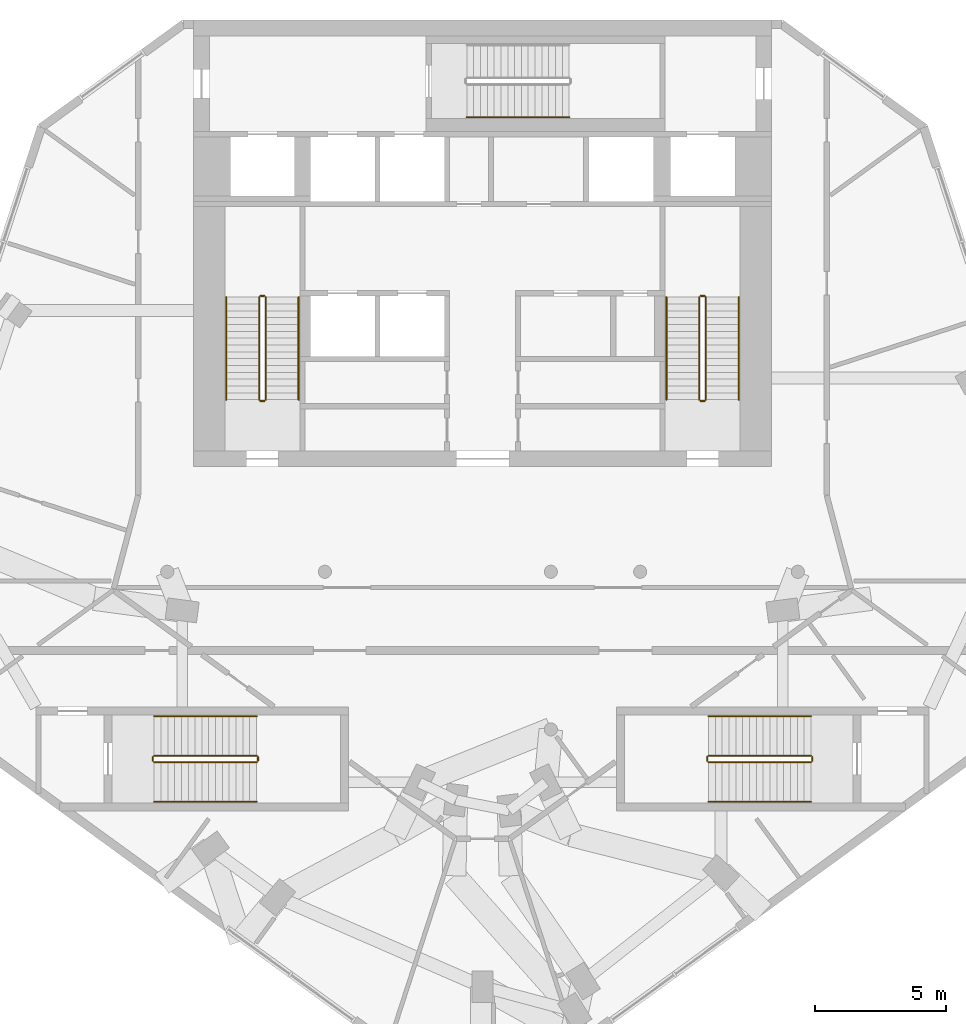
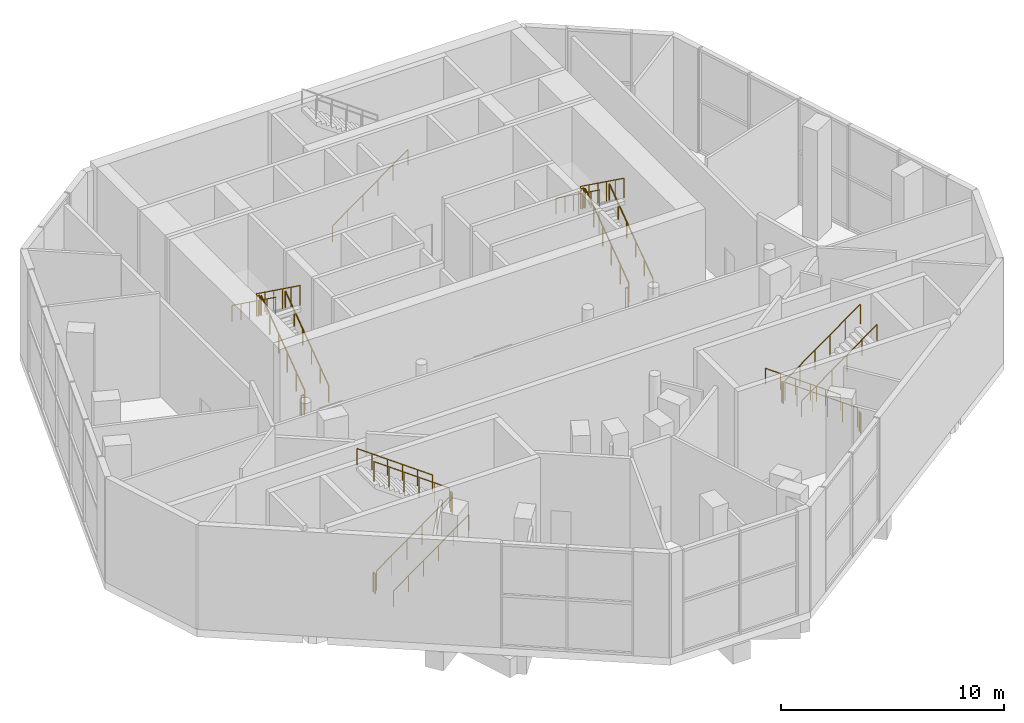
# One storey, part 10 of 11: 25 railings.
"""IFC4 building model written with IfcOpenShell, lengths in metres."""

from ifc_helpers import new_model, si_unit, direction, frame, origin, origin_2d, place, context, subcontext, project, spatial, circle, extrude, material, type_object, element, save


model = new_model("IFC4")

# Units and contexts
model_context = context("Model", 3, precision=1e-05, world=origin(), true_north=direction((0.0, 1.0)))
body_context = subcontext(model_context, "Body", "Model", "MODEL_VIEW")
ifc_project = project(units=[si_unit("LENGTHUNIT", "METRE"), si_unit("AREAUNIT", "SQUARE_METRE"), si_unit("VOLUMEUNIT", "CUBIC_METRE"), si_unit("PLANEANGLEUNIT", "RADIAN"), si_unit("MASSUNIT", "GRAM", prefix="KILO")], contexts=[model_context])

# Site, building, storey
site_placement = place(None, origin())
site = spatial("IfcSite", under=ifc_project, at=site_placement, CompositionType="ELEMENT")
building_placement = place(site_placement, origin())
building = spatial("IfcBuilding", under=site, at=building_placement, Name="White Candle Pilgrim Tower", CompositionType="ELEMENT")
storey_placement = place(building_placement, frame((0.0, 0.0, 300.10009765625)))
storey = spatial("IfcBuildingStorey", under=building, at=storey_placement, Name="L71", CompositionType="ELEMENT", Elevation=300.10009765625)

# Railings
ifc_material = material(Name="Stainless steel", Category="steel")
railing_type_1 = type_object("IfcRailingType", Name="Stair guard stainless steel 1100 mm", PredefinedType="GUARDRAIL", material=ifc_material)
railing_1_placement = place(storey_placement, frame((61.75, 73.550048828125, 0.1875)))
element("IfcRailing", 1, at=railing_1_placement, inside=storey, type_object=railing_type_1, Name="L71 ST1 stair guard 1", PredefinedType="GUARDRAIL", context=body_context, shape_type="SweptSolid", body=[
    extrude(circle(Radius=0.02392578125, at=origin_2d()), frame((0.0, 0.0, 1.076171875), z_axis=(0.0, 0.811083382981, 0.584930547887), x_axis=(-1.0, 0.0, 0.0)), (0.0, 0.0, 1.0), 4.808349609375),
    extrude(circle(Radius=0.02099609375, at=origin_2d()), origin(), (0.0, 0.0, 1.0), 1.052001953125),
    extrude(circle(Radius=0.02099609375, at=origin_2d()), frame((0.0, 0.780029296875, 0.5625)), (0.0, 0.0, 1.0), 1.052001953125),
    extrude(circle(Radius=0.02099609375, at=origin_2d()), frame((0.0, 1.56005859375, 1.125)), (0.0, 0.0, 1.0), 1.052001953125),
    extrude(circle(Radius=0.02099609375, at=origin_2d()), frame((0.0, 2.33984375, 1.6875)), (0.0, 0.0, 1.0), 1.052001953125),
    extrude(circle(Radius=0.02099609375, at=origin_2d()), frame((0.0, 3.119873046875, 2.25)), (0.0, 0.0, 1.0), 1.052001953125),
    extrude(circle(Radius=0.02099609375, at=origin_2d()), frame((0.0, 3.89990234375, 2.8125)), (0.0, 0.0, 1.0), 1.052001953125),
])
railing_2_placement = place(storey_placement, frame((61.699951171875, 77.5, 3.0)))
element("IfcRailing", 2, at=railing_2_placement, inside=storey, type_object=railing_type_1, Name="L71 ST1 stair guard 2", PredefinedType="GUARDRAIL", context=body_context, shape_type="SweptSolid", body=[
    extrude(circle(Radius=0.02392578125, at=origin_2d()), frame((0.0, 0.0, 1.076171875), z_axis=(-1.0, 0.0, 0.0), x_axis=(0.0, -1.0, 0.0)), (0.0, 0.0, 1.0), 0.14990234375),
    extrude(circle(Radius=0.02099609375, at=origin_2d()), origin(), (0.0, 0.0, 1.0), 1.052001953125),
    extrude(circle(Radius=0.02099609375, at=origin_2d()), frame((-0.14990234375, 0.0, 0.0)), (0.0, 0.0, 1.0), 1.052001953125),
])
railing_3_placement = place(storey_placement, frame((61.5, 77.449951171875, 3.1875)))
element("IfcRailing", 3, at=railing_3_placement, inside=storey, type_object=railing_type_1, Name="L71 ST1 stair guard 3", PredefinedType="GUARDRAIL", context=body_context, shape_type="SweptSolid", body=[
    extrude(circle(Radius=0.02392578125, at=origin_2d()), frame((0.0, 0.0, 1.076171875), z_axis=(0.0, -0.811083382981, 0.584930547887), x_axis=(1.0, 0.0, 0.0)), (0.0, 0.0, 1.0), 4.808349609375),
    extrude(circle(Radius=0.02099609375, at=origin_2d()), origin(), (0.0, 0.0, 1.0), 1.052001953125),
    extrude(circle(Radius=0.02099609375, at=origin_2d()), frame((0.0, -0.780029296875, 0.5625)), (0.0, 0.0, 1.0), 1.052001953125),
    extrude(circle(Radius=0.02099609375, at=origin_2d()), frame((0.0, -1.56005859375, 1.125)), (0.0, 0.0, 1.0), 1.052001953125),
    extrude(circle(Radius=0.02099609375, at=origin_2d()), frame((0.0, -2.33984375, 1.6875)), (0.0, 0.0, 1.0), 1.052001953125),
    extrude(circle(Radius=0.02099609375, at=origin_2d()), frame((0.0, -3.119873046875, 2.25)), (0.0, 0.0, 1.0), 1.052001953125),
    extrude(circle(Radius=0.02099609375, at=origin_2d()), frame((0.0, -3.89990234375, 2.8125)), (0.0, 0.0, 1.0), 1.052001953125),
])
railing_4_placement = place(storey_placement, frame((61.699951171875, 73.5, 0.0)))
element("IfcRailing", 4, at=railing_4_placement, inside=storey, type_object=railing_type_1, Name="L71 ST1 stair guard 4", PredefinedType="GUARDRAIL", context=body_context, shape_type="SweptSolid", body=[
    extrude(circle(Radius=0.02392578125, at=origin_2d()), frame((0.0, 0.0, 1.076171875), z_axis=(-1.0, 0.0, 0.0), x_axis=(0.0, -1.0, 0.0)), (0.0, 0.0, 1.0), 0.14990234375),
    extrude(circle(Radius=0.02099609375, at=origin_2d()), origin(), (0.0, 0.0, 1.0), 1.052001953125),
    extrude(circle(Radius=0.02099609375, at=origin_2d()), frame((-0.14990234375, 0.0, 0.0)), (0.0, 0.0, 1.0), 1.052001953125),
])
railing_5_placement = place(storey_placement, frame((78.5, 73.550048828125, 0.1875)))
element("IfcRailing", 5, at=railing_5_placement, inside=storey, type_object=railing_type_1, Name="L71 ST2 stair guard 1", PredefinedType="GUARDRAIL", context=body_context, shape_type="SweptSolid", body=[
    extrude(circle(Radius=0.02392578125, at=origin_2d()), frame((0.0, 0.0, 1.076171875), z_axis=(0.0, 0.811083382981, 0.584930547887), x_axis=(-1.0, 0.0, 0.0)), (0.0, 0.0, 1.0), 4.808349609375),
    extrude(circle(Radius=0.02099609375, at=origin_2d()), origin(), (0.0, 0.0, 1.0), 1.052001953125),
    extrude(circle(Radius=0.02099609375, at=origin_2d()), frame((0.0, 0.780029296875, 0.5625)), (0.0, 0.0, 1.0), 1.052001953125),
    extrude(circle(Radius=0.02099609375, at=origin_2d()), frame((0.0, 1.56005859375, 1.125)), (0.0, 0.0, 1.0), 1.052001953125),
    extrude(circle(Radius=0.02099609375, at=origin_2d()), frame((0.0, 2.33984375, 1.6875)), (0.0, 0.0, 1.0), 1.052001953125),
    extrude(circle(Radius=0.02099609375, at=origin_2d()), frame((0.0, 3.119873046875, 2.25)), (0.0, 0.0, 1.0), 1.052001953125),
    extrude(circle(Radius=0.02099609375, at=origin_2d()), frame((0.0, 3.89990234375, 2.8125)), (0.0, 0.0, 1.0), 1.052001953125),
])
railing_6_placement = place(storey_placement, frame((78.449951171875, 77.5, 3.0)))
element("IfcRailing", 6, at=railing_6_placement, inside=storey, type_object=railing_type_1, Name="L71 ST2 stair guard 2", PredefinedType="GUARDRAIL", context=body_context, shape_type="SweptSolid", body=[
    extrude(circle(Radius=0.02392578125, at=origin_2d()), frame((0.0, 0.0, 1.076171875), z_axis=(-1.0, 0.0, 0.0), x_axis=(0.0, -1.0, 0.0)), (0.0, 0.0, 1.0), 0.14990234375),
    extrude(circle(Radius=0.02099609375, at=origin_2d()), origin(), (0.0, 0.0, 1.0), 1.052001953125),
    extrude(circle(Radius=0.02099609375, at=origin_2d()), frame((-0.14990234375, 0.0, 0.0)), (0.0, 0.0, 1.0), 1.052001953125),
])
railing_7_placement = place(storey_placement, frame((78.25, 77.449951171875, 3.1875)))
element("IfcRailing", 7, at=railing_7_placement, inside=storey, type_object=railing_type_1, Name="L71 ST2 stair guard 3", PredefinedType="GUARDRAIL", context=body_context, shape_type="SweptSolid", body=[
    extrude(circle(Radius=0.02392578125, at=origin_2d()), frame((0.0, 0.0, 1.076171875), z_axis=(0.0, -0.811083382981, 0.584930547887), x_axis=(1.0, 0.0, 0.0)), (0.0, 0.0, 1.0), 4.808349609375),
    extrude(circle(Radius=0.02099609375, at=origin_2d()), origin(), (0.0, 0.0, 1.0), 1.052001953125),
    extrude(circle(Radius=0.02099609375, at=origin_2d()), frame((0.0, -0.780029296875, 0.5625)), (0.0, 0.0, 1.0), 1.052001953125),
    extrude(circle(Radius=0.02099609375, at=origin_2d()), frame((0.0, -1.56005859375, 1.125)), (0.0, 0.0, 1.0), 1.052001953125),
    extrude(circle(Radius=0.02099609375, at=origin_2d()), frame((0.0, -2.33984375, 1.6875)), (0.0, 0.0, 1.0), 1.052001953125),
    extrude(circle(Radius=0.02099609375, at=origin_2d()), frame((0.0, -3.119873046875, 2.25)), (0.0, 0.0, 1.0), 1.052001953125),
    extrude(circle(Radius=0.02099609375, at=origin_2d()), frame((0.0, -3.89990234375, 2.8125)), (0.0, 0.0, 1.0), 1.052001953125),
])
railing_8_placement = place(storey_placement, frame((78.449951171875, 73.5, 0.0)))
element("IfcRailing", 8, at=railing_8_placement, inside=storey, type_object=railing_type_1, Name="L71 ST2 stair guard 4", PredefinedType="GUARDRAIL", context=body_context, shape_type="SweptSolid", body=[
    extrude(circle(Radius=0.02392578125, at=origin_2d()), frame((0.0, 0.0, 1.076171875), z_axis=(-1.0, 0.0, 0.0), x_axis=(0.0, -1.0, 0.0)), (0.0, 0.0, 1.0), 0.14990234375),
    extrude(circle(Radius=0.02099609375, at=origin_2d()), origin(), (0.0, 0.0, 1.0), 1.052001953125),
    extrude(circle(Radius=0.02099609375, at=origin_2d()), frame((-0.14990234375, 0.0, 0.0)), (0.0, 0.0, 1.0), 1.052001953125),
])
railing_9_placement = place(storey_placement, frame((82.5, 60.0, 0.1875)))
element("IfcRailing", 9, at=railing_9_placement, inside=storey, type_object=railing_type_1, Name="L71 ST4 stair guard 1", PredefinedType="GUARDRAIL", context=body_context, shape_type="SweptSolid", body=[
    extrude(circle(Radius=0.02392578125, at=origin_2d()), frame((0.0, 0.0, 1.076171875), z_axis=(-0.811083382981, 0.0, 0.584930547887), x_axis=(0.0, -1.0, 0.0)), (0.0, 0.0, 1.0), 4.808349609375),
    extrude(circle(Radius=0.02099609375, at=origin_2d()), origin(), (0.0, 0.0, 1.0), 1.052001953125),
    extrude(circle(Radius=0.02099609375, at=origin_2d()), frame((-0.780029296875, 0.0, 0.5625)), (0.0, 0.0, 1.0), 1.052001953125),
    extrude(circle(Radius=0.02099609375, at=origin_2d()), frame((-1.56005859375, 0.0, 1.125)), (0.0, 0.0, 1.0), 1.052001953125),
    extrude(circle(Radius=0.02099609375, at=origin_2d()), frame((-2.33984375, 0.0, 1.6875)), (0.0, 0.0, 1.0), 1.052001953125),
    extrude(circle(Radius=0.02099609375, at=origin_2d()), frame((-3.119873046875, 0.0, 2.25)), (0.0, 0.0, 1.0), 1.052001953125),
    extrude(circle(Radius=0.02099609375, at=origin_2d()), frame((-3.89990234375, 0.0, 2.8125)), (0.0, 0.0, 1.0), 1.052001953125),
])
railing_10_placement = place(storey_placement, frame((78.550048828125, 59.949951171875, 3.0)))
element("IfcRailing", 10, at=railing_10_placement, inside=storey, type_object=railing_type_1, Name="L71 ST4 stair guard 2", PredefinedType="GUARDRAIL", context=body_context, shape_type="SweptSolid", body=[
    extrude(circle(Radius=0.02392578125, at=origin_2d()), frame((0.0, 0.0, 1.076171875), z_axis=(0.0, -1.0, 0.0), x_axis=(1.0, 0.0, 0.0)), (0.0, 0.0, 1.0), 0.14990234375),
    extrude(circle(Radius=0.02099609375, at=origin_2d()), origin(), (0.0, 0.0, 1.0), 1.052001953125),
    extrude(circle(Radius=0.02099609375, at=origin_2d()), frame((0.0, -0.14990234375, 0.0)), (0.0, 0.0, 1.0), 1.052001953125),
])
railing_11_placement = place(storey_placement, frame((78.60009765625, 59.75, 3.1875)))
element("IfcRailing", 11, at=railing_11_placement, inside=storey, type_object=railing_type_1, Name="L71 ST4 stair guard 3", PredefinedType="GUARDRAIL", context=body_context, shape_type="SweptSolid", body=[
    extrude(circle(Radius=0.02392578125, at=origin_2d()), frame((0.0, 0.0, 1.076171875), z_axis=(0.811083382981, 0.0, 0.584930547887), x_axis=(0.0, 1.0, 0.0)), (0.0, 0.0, 1.0), 4.808349609375),
    extrude(circle(Radius=0.02099609375, at=origin_2d()), origin(), (0.0, 0.0, 1.0), 1.052001953125),
    extrude(circle(Radius=0.02099609375, at=origin_2d()), frame((0.780029296875, 0.0, 0.5625)), (0.0, 0.0, 1.0), 1.052001953125),
    extrude(circle(Radius=0.02099609375, at=origin_2d()), frame((1.56005859375, 0.0, 1.125)), (0.0, 0.0, 1.0), 1.052001953125),
    extrude(circle(Radius=0.02099609375, at=origin_2d()), frame((2.33984375, 0.0, 1.6875)), (0.0, 0.0, 1.0), 1.052001953125),
    extrude(circle(Radius=0.02099609375, at=origin_2d()), frame((3.119873046875, 0.0, 2.25)), (0.0, 0.0, 1.0), 1.052001953125),
    extrude(circle(Radius=0.02099609375, at=origin_2d()), frame((3.89990234375, 0.0, 2.8125)), (0.0, 0.0, 1.0), 1.052001953125),
])
railing_12_placement = place(storey_placement, frame((82.550048828125, 59.949951171875, 0.0)))
element("IfcRailing", 12, at=railing_12_placement, inside=storey, type_object=railing_type_1, Name="L71 ST4 stair guard 4", PredefinedType="GUARDRAIL", context=body_context, shape_type="SweptSolid", body=[
    extrude(circle(Radius=0.02392578125, at=origin_2d()), frame((0.0, 0.0, 1.076171875), z_axis=(0.0, -1.0, 0.0), x_axis=(1.0, 0.0, 0.0)), (0.0, 0.0, 1.0), 0.14990234375),
    extrude(circle(Radius=0.02099609375, at=origin_2d()), origin(), (0.0, 0.0, 1.0), 1.052001953125),
    extrude(circle(Radius=0.02099609375, at=origin_2d()), frame((0.0, -0.14990234375, 0.0)), (0.0, 0.0, 1.0), 1.052001953125),
])
railing_13_placement = place(storey_placement, frame((57.5, 59.75, 0.1875)))
element("IfcRailing", 13, at=railing_13_placement, inside=storey, type_object=railing_type_1, Name="L71 ST5 stair guard 1", PredefinedType="GUARDRAIL", context=body_context, shape_type="SweptSolid", body=[
    extrude(circle(Radius=0.02392578125, at=origin_2d()), frame((0.0, 0.0, 1.076171875), z_axis=(0.811083382981, 0.0, 0.584930547887), x_axis=(0.0, 1.0, 0.0)), (0.0, 0.0, 1.0), 4.808349609375),
    extrude(circle(Radius=0.02099609375, at=origin_2d()), origin(), (0.0, 0.0, 1.0), 1.052001953125),
    extrude(circle(Radius=0.02099609375, at=origin_2d()), frame((0.780029296875, 0.0, 0.5625)), (0.0, 0.0, 1.0), 1.052001953125),
    extrude(circle(Radius=0.02099609375, at=origin_2d()), frame((1.56005859375, 0.0, 1.125)), (0.0, 0.0, 1.0), 1.052001953125),
    extrude(circle(Radius=0.02099609375, at=origin_2d()), frame((2.33984375, 0.0, 1.6875)), (0.0, 0.0, 1.0), 1.052001953125),
    extrude(circle(Radius=0.02099609375, at=origin_2d()), frame((3.119873046875, 0.0, 2.25)), (0.0, 0.0, 1.0), 1.052001953125),
    extrude(circle(Radius=0.02099609375, at=origin_2d()), frame((3.89990234375, 0.0, 2.8125)), (0.0, 0.0, 1.0), 1.052001953125),
])
railing_14_placement = place(storey_placement, frame((61.449951171875, 59.800048828125, 3.0)))
element("IfcRailing", 14, at=railing_14_placement, inside=storey, type_object=railing_type_1, Name="L71 ST5 stair guard 2", PredefinedType="GUARDRAIL", context=body_context, shape_type="SweptSolid", body=[
    extrude(circle(Radius=0.02392578125, at=origin_2d()), frame((0.0, 0.0, 1.076171875), z_axis=(0.0, 1.0, 0.0), x_axis=(-1.0, 0.0, 0.0)), (0.0, 0.0, 1.0), 0.14990234375),
    extrude(circle(Radius=0.02099609375, at=origin_2d()), origin(), (0.0, 0.0, 1.0), 1.052001953125),
    extrude(circle(Radius=0.02099609375, at=origin_2d()), frame((0.0, 0.14990234375, 0.0)), (0.0, 0.0, 1.0), 1.052001953125),
])
railing_15_placement = place(storey_placement, frame((61.39990234375, 60.0, 3.1875)))
element("IfcRailing", 15, at=railing_15_placement, inside=storey, type_object=railing_type_1, Name="L71 ST5 stair guard 3", PredefinedType="GUARDRAIL", context=body_context, shape_type="SweptSolid", body=[
    extrude(circle(Radius=0.02392578125, at=origin_2d()), frame((0.0, 0.0, 1.076171875), z_axis=(-0.811083382981, 0.0, 0.584930547887), x_axis=(0.0, -1.0, 0.0)), (0.0, 0.0, 1.0), 4.808349609375),
    extrude(circle(Radius=0.02099609375, at=origin_2d()), origin(), (0.0, 0.0, 1.0), 1.052001953125),
    extrude(circle(Radius=0.02099609375, at=origin_2d()), frame((-0.780029296875, 0.0, 0.5625)), (0.0, 0.0, 1.0), 1.052001953125),
    extrude(circle(Radius=0.02099609375, at=origin_2d()), frame((-1.56005859375, 0.0, 1.125)), (0.0, 0.0, 1.0), 1.052001953125),
    extrude(circle(Radius=0.02099609375, at=origin_2d()), frame((-2.33984375, 0.0, 1.6875)), (0.0, 0.0, 1.0), 1.052001953125),
    extrude(circle(Radius=0.02099609375, at=origin_2d()), frame((-3.119873046875, 0.0, 2.25)), (0.0, 0.0, 1.0), 1.052001953125),
    extrude(circle(Radius=0.02099609375, at=origin_2d()), frame((-3.89990234375, 0.0, 2.8125)), (0.0, 0.0, 1.0), 1.052001953125),
])
railing_16_placement = place(storey_placement, frame((57.449951171875, 59.800048828125, 0.0)))
element("IfcRailing", 16, at=railing_16_placement, inside=storey, type_object=railing_type_1, Name="L71 ST5 stair guard 4", PredefinedType="GUARDRAIL", context=body_context, shape_type="SweptSolid", body=[
    extrude(circle(Radius=0.02392578125, at=origin_2d()), frame((0.0, 0.0, 1.076171875), z_axis=(0.0, 1.0, 0.0), x_axis=(-1.0, 0.0, 0.0)), (0.0, 0.0, 1.0), 0.14990234375),
    extrude(circle(Radius=0.02099609375, at=origin_2d()), origin(), (0.0, 0.0, 1.0), 1.052001953125),
    extrude(circle(Radius=0.02099609375, at=origin_2d()), frame((0.0, 0.14990234375, 0.0)), (0.0, 0.0, 1.0), 1.052001953125),
])
railing_type_2 = type_object("IfcRailingType", Name="Stair handrail stainless steel", PredefinedType="HANDRAIL", material=ifc_material)
railing_17_placement = place(storey_placement, frame((63.0, 73.550048828125, 0.1875)))
element("IfcRailing", 17, at=railing_17_placement, inside=storey, type_object=railing_type_2, Name="L71 ST1 stair handrail 1", PredefinedType="HANDRAIL", context=body_context, shape_type="SweptSolid", body=[
    extrude(circle(Radius=0.02392578125, at=origin_2d()), frame((0.0, 0.0, 0.8759765625), z_axis=(0.0, 0.811083382981, 0.584930547887), x_axis=(-1.0, 0.0, 0.0)), (0.0, 0.0, 1.0), 4.808349609375),
    extrude(circle(Radius=0.02099609375, at=origin_2d()), origin(), (0.0, 0.0, 1.0), 0.851806640625),
    extrude(circle(Radius=0.02099609375, at=origin_2d()), frame((0.0, 0.780029296875, 0.5625)), (0.0, 0.0, 1.0), 0.851806640625),
    extrude(circle(Radius=0.02099609375, at=origin_2d()), frame((0.0, 1.56005859375, 1.125)), (0.0, 0.0, 1.0), 0.851806640625),
    extrude(circle(Radius=0.02099609375, at=origin_2d()), frame((0.0, 2.33984375, 1.6875)), (0.0, 0.0, 1.0), 0.851806640625),
    extrude(circle(Radius=0.02099609375, at=origin_2d()), frame((0.0, 3.119873046875, 2.25)), (0.0, 0.0, 1.0), 0.851806640625),
    extrude(circle(Radius=0.02099609375, at=origin_2d()), frame((0.0, 3.89990234375, 2.8125)), (0.0, 0.0, 1.0), 0.851806640625),
])
railing_18_placement = place(storey_placement, frame((60.25, 77.449951171875, 3.1875)))
element("IfcRailing", 18, at=railing_18_placement, inside=storey, type_object=railing_type_2, Name="L71 ST1 stair handrail 2", PredefinedType="HANDRAIL", context=body_context, shape_type="SweptSolid", body=[
    extrude(circle(Radius=0.02392578125, at=origin_2d()), frame((0.0, 0.0, 0.8759765625), z_axis=(0.0, -0.811083382981, 0.584930547887), x_axis=(1.0, 0.0, 0.0)), (0.0, 0.0, 1.0), 4.808349609375),
    extrude(circle(Radius=0.02099609375, at=origin_2d()), origin(), (0.0, 0.0, 1.0), 0.851806640625),
    extrude(circle(Radius=0.02099609375, at=origin_2d()), frame((0.0, -0.780029296875, 0.5625)), (0.0, 0.0, 1.0), 0.851806640625),
    extrude(circle(Radius=0.02099609375, at=origin_2d()), frame((0.0, -1.56005859375, 1.125)), (0.0, 0.0, 1.0), 0.851806640625),
    extrude(circle(Radius=0.02099609375, at=origin_2d()), frame((0.0, -2.33984375, 1.6875)), (0.0, 0.0, 1.0), 0.851806640625),
    extrude(circle(Radius=0.02099609375, at=origin_2d()), frame((0.0, -3.119873046875, 2.25)), (0.0, 0.0, 1.0), 0.851806640625),
    extrude(circle(Radius=0.02099609375, at=origin_2d()), frame((0.0, -3.89990234375, 2.8125)), (0.0, 0.0, 1.0), 0.851806640625),
])
railing_19_placement = place(storey_placement, frame((79.75, 73.550048828125, 0.1875)))
element("IfcRailing", 19, at=railing_19_placement, inside=storey, type_object=railing_type_2, Name="L71 ST2 stair handrail 1", PredefinedType="HANDRAIL", context=body_context, shape_type="SweptSolid", body=[
    extrude(circle(Radius=0.02392578125, at=origin_2d()), frame((0.0, 0.0, 0.8759765625), z_axis=(0.0, 0.811083382981, 0.584930547887), x_axis=(-1.0, 0.0, 0.0)), (0.0, 0.0, 1.0), 4.808349609375),
    extrude(circle(Radius=0.02099609375, at=origin_2d()), origin(), (0.0, 0.0, 1.0), 0.851806640625),
    extrude(circle(Radius=0.02099609375, at=origin_2d()), frame((0.0, 0.780029296875, 0.5625)), (0.0, 0.0, 1.0), 0.851806640625),
    extrude(circle(Radius=0.02099609375, at=origin_2d()), frame((0.0, 1.56005859375, 1.125)), (0.0, 0.0, 1.0), 0.851806640625),
    extrude(circle(Radius=0.02099609375, at=origin_2d()), frame((0.0, 2.33984375, 1.6875)), (0.0, 0.0, 1.0), 0.851806640625),
    extrude(circle(Radius=0.02099609375, at=origin_2d()), frame((0.0, 3.119873046875, 2.25)), (0.0, 0.0, 1.0), 0.851806640625),
    extrude(circle(Radius=0.02099609375, at=origin_2d()), frame((0.0, 3.89990234375, 2.8125)), (0.0, 0.0, 1.0), 0.851806640625),
])
railing_20_placement = place(storey_placement, frame((77.0, 77.449951171875, 3.1875)))
element("IfcRailing", 20, at=railing_20_placement, inside=storey, type_object=railing_type_2, Name="L71 ST2 stair handrail 2", PredefinedType="HANDRAIL", context=body_context, shape_type="SweptSolid", body=[
    extrude(circle(Radius=0.02392578125, at=origin_2d()), frame((0.0, 0.0, 0.8759765625), z_axis=(0.0, -0.811083382981, 0.584930547887), x_axis=(1.0, 0.0, 0.0)), (0.0, 0.0, 1.0), 4.808349609375),
    extrude(circle(Radius=0.02099609375, at=origin_2d()), origin(), (0.0, 0.0, 1.0), 0.851806640625),
    extrude(circle(Radius=0.02099609375, at=origin_2d()), frame((0.0, -0.780029296875, 0.5625)), (0.0, 0.0, 1.0), 0.851806640625),
    extrude(circle(Radius=0.02099609375, at=origin_2d()), frame((0.0, -1.56005859375, 1.125)), (0.0, 0.0, 1.0), 0.851806640625),
    extrude(circle(Radius=0.02099609375, at=origin_2d()), frame((0.0, -2.33984375, 1.6875)), (0.0, 0.0, 1.0), 0.851806640625),
    extrude(circle(Radius=0.02099609375, at=origin_2d()), frame((0.0, -3.119873046875, 2.25)), (0.0, 0.0, 1.0), 0.851806640625),
    extrude(circle(Radius=0.02099609375, at=origin_2d()), frame((0.0, -3.89990234375, 2.8125)), (0.0, 0.0, 1.0), 0.851806640625),
])
railing_21_placement = place(storey_placement, frame((69.39990234375, 84.300048828125, 0.1875)))
element("IfcRailing", 21, at=railing_21_placement, inside=storey, type_object=railing_type_2, Name="L71 ST3 stair handrail 1", PredefinedType="HANDRAIL", context=body_context, shape_type="SweptSolid", body=[
    extrude(circle(Radius=0.02392578125, at=origin_2d()), frame((0.0, 0.0, 0.8759765625), z_axis=(0.811100754333, 0.0, 0.584906459462), x_axis=(0.0, 1.0, 0.0)), (0.0, 0.0, 1.0), 4.808349609375),
    extrude(circle(Radius=0.02099609375, at=origin_2d()), origin(), (0.0, 0.0, 1.0), 0.851806640625),
    extrude(circle(Radius=0.02099609375, at=origin_2d()), frame((0.780029296875, 0.0, 0.5625)), (0.0, 0.0, 1.0), 0.851806640625),
    extrude(circle(Radius=0.02099609375, at=origin_2d()), frame((1.56005859375, 0.0, 1.125)), (0.0, 0.0, 1.0), 0.851806640625),
    extrude(circle(Radius=0.02099609375, at=origin_2d()), frame((2.340087890625, 0.0, 1.6875)), (0.0, 0.0, 1.0), 0.851806640625),
    extrude(circle(Radius=0.02099609375, at=origin_2d()), frame((3.1201171875, 0.0, 2.25)), (0.0, 0.0, 1.0), 0.851806640625),
    extrude(circle(Radius=0.02099609375, at=origin_2d()), frame((3.900146484375, 0.0, 2.8125)), (0.0, 0.0, 1.0), 0.851806640625),
])
railing_22_placement = place(storey_placement, frame((82.5, 61.5, 0.1875)))
element("IfcRailing", 22, at=railing_22_placement, inside=storey, type_object=railing_type_2, Name="L71 ST4 stair handrail 1", PredefinedType="HANDRAIL", context=body_context, shape_type="SweptSolid", body=[
    extrude(circle(Radius=0.02392578125, at=origin_2d()), frame((0.0, 0.0, 0.8759765625), z_axis=(-0.811083382981, 0.0, 0.584930547887), x_axis=(0.0, -1.0, 0.0)), (0.0, 0.0, 1.0), 4.808349609375),
    extrude(circle(Radius=0.02099609375, at=origin_2d()), origin(), (0.0, 0.0, 1.0), 0.851806640625),
    extrude(circle(Radius=0.02099609375, at=origin_2d()), frame((-0.780029296875, 0.0, 0.5625)), (0.0, 0.0, 1.0), 0.851806640625),
    extrude(circle(Radius=0.02099609375, at=origin_2d()), frame((-1.56005859375, 0.0, 1.125)), (0.0, 0.0, 1.0), 0.851806640625),
    extrude(circle(Radius=0.02099609375, at=origin_2d()), frame((-2.33984375, 0.0, 1.6875)), (0.0, 0.0, 1.0), 0.851806640625),
    extrude(circle(Radius=0.02099609375, at=origin_2d()), frame((-3.119873046875, 0.0, 2.25)), (0.0, 0.0, 1.0), 0.851806640625),
    extrude(circle(Radius=0.02099609375, at=origin_2d()), frame((-3.89990234375, 0.0, 2.8125)), (0.0, 0.0, 1.0), 0.851806640625),
])
for number, where, name in (
    (23, (78.60009765625, 58.25, 3.1875), "L71 ST4 stair handrail 2"),
    (24, (57.5, 58.25, 0.1875), "L71 ST5 stair handrail 1"),
):
    element("IfcRailing", number, at=place(storey_placement, frame(where)), inside=storey, type_object=railing_type_2, Name=name, PredefinedType="HANDRAIL", context=body_context, shape_type="SweptSolid", body=[
        extrude(circle(Radius=0.02392578125, at=origin_2d()), frame((0.0, 0.0, 0.8759765625), z_axis=(0.811083382981, 0.0, 0.584930547887), x_axis=(0.0, 1.0, 0.0)), (0.0, 0.0, 1.0), 4.808349609375),
        extrude(circle(Radius=0.02099609375, at=origin_2d()), origin(), (0.0, 0.0, 1.0), 0.851806640625),
        extrude(circle(Radius=0.02099609375, at=origin_2d()), frame((0.780029296875, 0.0, 0.5625)), (0.0, 0.0, 1.0), 0.851806640625),
        extrude(circle(Radius=0.02099609375, at=origin_2d()), frame((1.56005859375, 0.0, 1.125)), (0.0, 0.0, 1.0), 0.851806640625),
        extrude(circle(Radius=0.02099609375, at=origin_2d()), frame((2.33984375, 0.0, 1.6875)), (0.0, 0.0, 1.0), 0.851806640625),
        extrude(circle(Radius=0.02099609375, at=origin_2d()), frame((3.119873046875, 0.0, 2.25)), (0.0, 0.0, 1.0), 0.851806640625),
        extrude(circle(Radius=0.02099609375, at=origin_2d()), frame((3.89990234375, 0.0, 2.8125)), (0.0, 0.0, 1.0), 0.851806640625),
    ])
railing_23_placement = place(storey_placement, frame((61.39990234375, 61.5, 3.1875)))
element("IfcRailing", 25, at=railing_23_placement, inside=storey, type_object=railing_type_2, Name="L71 ST5 stair handrail 2", PredefinedType="HANDRAIL", context=body_context, shape_type="SweptSolid", body=[
    extrude(circle(Radius=0.02392578125, at=origin_2d()), frame((0.0, 0.0, 0.8759765625), z_axis=(-0.811083382981, 0.0, 0.584930547887), x_axis=(0.0, -1.0, 0.0)), (0.0, 0.0, 1.0), 4.808349609375),
    extrude(circle(Radius=0.02099609375, at=origin_2d()), origin(), (0.0, 0.0, 1.0), 0.851806640625),
    extrude(circle(Radius=0.02099609375, at=origin_2d()), frame((-0.780029296875, 0.0, 0.5625)), (0.0, 0.0, 1.0), 0.851806640625),
    extrude(circle(Radius=0.02099609375, at=origin_2d()), frame((-1.56005859375, 0.0, 1.125)), (0.0, 0.0, 1.0), 0.851806640625),
    extrude(circle(Radius=0.02099609375, at=origin_2d()), frame((-2.33984375, 0.0, 1.6875)), (0.0, 0.0, 1.0), 0.851806640625),
    extrude(circle(Radius=0.02099609375, at=origin_2d()), frame((-3.119873046875, 0.0, 2.25)), (0.0, 0.0, 1.0), 0.851806640625),
    extrude(circle(Radius=0.02099609375, at=origin_2d()), frame((-3.89990234375, 0.0, 2.8125)), (0.0, 0.0, 1.0), 0.851806640625),
])

save(model, "model.ifc")
